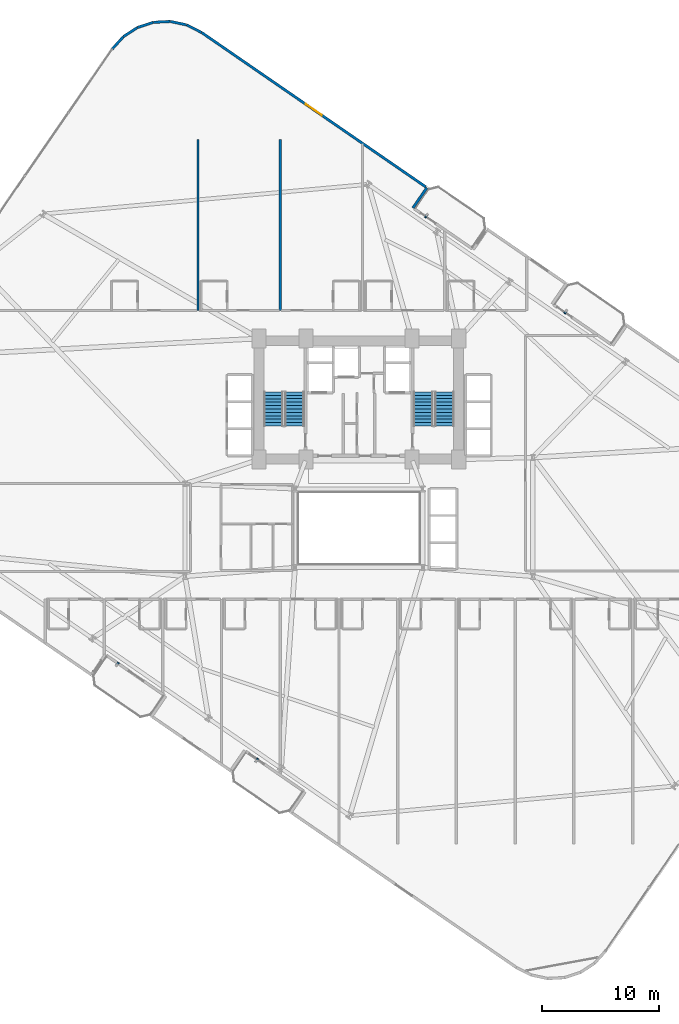
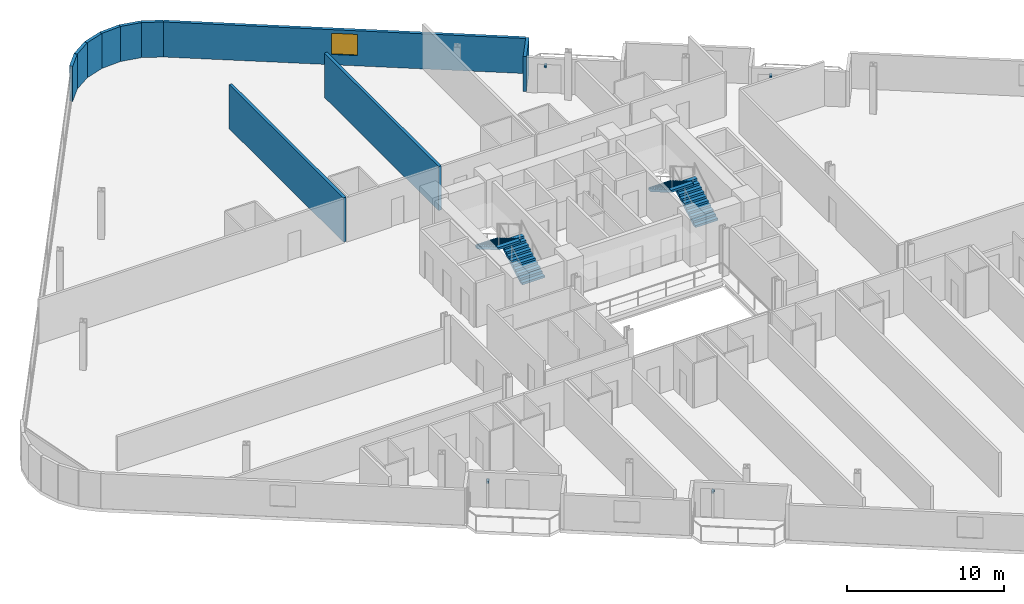
# One storey, part 24 of 27: 10 walls, 4 discrete accessories, 4 stair flights, 1 window, 1 opening, 2 elements without a shape of their own.
"""IFC4 building model written with IfcOpenShell, lengths in metres."""

from ifc_helpers import new_model, si_unit, direction, frame, frame_2d, origin, origin_2d, place, context, subcontext, project, spatial, polyline, rectangle, outline, extrude, source, transform, mapped, material, layer, layer_set, type_object, element, fill, aggregate, save


model = new_model("IFC4")

# Units and contexts
model_context = context("Model", 3, precision=1e-05, world=origin(), true_north=direction((0.0, 1.0)))
body_context = subcontext(model_context, "Body", "Model", "MODEL_VIEW")
ifc_project = project(units=[si_unit("LENGTHUNIT", "METRE"), si_unit("AREAUNIT", "SQUARE_METRE"), si_unit("VOLUMEUNIT", "CUBIC_METRE"), si_unit("PLANEANGLEUNIT", "RADIAN"), si_unit("MASSUNIT", "GRAM", prefix="KILO")], contexts=[model_context])

# Site, building, storey
site_placement = place(None, origin())
site = spatial("IfcSite", under=ifc_project, at=site_placement, CompositionType="ELEMENT")
building_placement = place(site_placement, origin())
building = spatial("IfcBuilding", under=site, at=building_placement, Name="Varnelok Gate Tower", CompositionType="ELEMENT")
storey_placement = place(building_placement, frame((0.0, 0.0, 30.699951171875)))
storey = spatial("IfcBuildingStorey", under=building, at=storey_placement, Name="L06", CompositionType="ELEMENT", Elevation=30.699951171875)

# Wall
ifc_material_1 = material(Name="Concrete C45/55", Category="concrete")
ifc_layer_1 = layer(ifc_material_1, 0.219970703125)
ifc_layer_set_1 = layer_set([ifc_layer_1], Name="Concrete C45/55")
wall_type_1 = type_object("IfcWallType", Name="EW-BALC-220", PredefinedType="SOLIDWALL", material=ifc_layer_set_1)
wall_1_placement = place(storey_placement, frame((43.793701171875, 50.161376953125, 0.0), z_axis=(0.0, 0.0, 1.0), x_axis=(0.567352541689, 0.823475010816, 0.0)))
element("IfcWall", 1, at=wall_1_placement, inside=storey, type_object=wall_type_1, Name="L06 Perimeter Facade Closure Wall 31", PredefinedType="SOLIDWALL", context=body_context, shape_type="SweptSolid", body=[
    extrude(rectangle(XDim=2.099853515625, YDim=0.219970703125, at=frame_2d((1.0498046875, 0.0))), origin(), (0.0, 0.0, 1.0), 2.72998046875),
])

# Wall, opening, window
wall_2_placement = place(storey_placement, frame((44.882080078125, 51.961669921875, 0.0), z_axis=(0.0, 0.0, 1.0), x_axis=(-0.823534427573, 0.567266292497, 0.0)))
wall_2 = element("IfcWall", 2, at=wall_2_placement, inside=storey, type_object=wall_type_1, Name="L06 Perimeter Facade Closure Wall 32", PredefinedType="SOLIDWALL", context=body_context, shape_type="SweptSolid", body=[
    extrude(rectangle(XDim=23.147216796875, YDim=0.219970703125, at=frame_2d((11.57373046875, 0.0))), origin(), (0.0, 0.0, 1.0), 2.72998046875),
])
opening_placement = place(wall_2_placement, frame((10.74853515625, 0.0, 0.800048828125)))
opening = element("IfcOpeningElement", 3, at=opening_placement, cuts=wall_2, Name="Opening WN3", PredefinedType="OPENING", context=body_context, shape_type="SweptSolid", body=[
    extrude(rectangle(XDim=1.64990234375, YDim=1.64990234375, at=frame_2d((0.824951171875, 0.824951171875))), frame((0.0, 0.119873046875, 0.0), z_axis=(0.0, -1.0, 0.0), x_axis=(1.0, 0.0, 0.0)), (0.0, 0.0, 1.0), 0.239990234375),
])
ifc_material_2 = material(Name="Low-E Laminated Double Glazing IGU", Category="glass")
window_type = type_object("IfcWindowType", Name="WN-HTL-1650", PartitioningType="SINGLE_PANEL", PredefinedType="WINDOW", material=ifc_material_2)
window_placement = place(opening_placement, origin())
window = element("IfcWindow", 4, at=window_placement, inside=storey, type_object=window_type, Name="L06 Perimeter Vision Window 32", OverallHeight=1.64990234375, OverallWidth=1.64990234375, PartitioningType="SINGLE_PANEL", PredefinedType="WINDOW", context=body_context, shape_type="SweptSolid", body=[
    extrude(rectangle(XDim=1.64990234375, YDim=1.64990234375, at=frame_2d((0.824951171875, 0.824951171875))), frame((0.0, 0.030029296875, 0.0), z_axis=(0.0, -1.0, 0.0), x_axis=(1.0, 0.0, 0.0)), (0.0, 0.0, 1.0), 0.06005859375),
])
fill(opening, window)

# Walls
wall_3_placement = place(storey_placement, frame((25.79736328125, 65.103759765625, 0.0), z_axis=(0.0, 0.0, 1.0), x_axis=(-0.890559109247, 0.454867533394, 0.0)))
element("IfcWall", 5, at=wall_3_placement, inside=storey, type_object=wall_type_1, Name="L06 Perimeter Facade Closure Wall 33", PredefinedType="SOLIDWALL", context=body_context, shape_type="SweptSolid", body=[
    extrude(rectangle(XDim=1.4130859375, YDim=0.219970703125, at=frame_2d((0.70654296875, 0.0))), origin(), (0.0, 0.0, 1.0), 2.72998046875),
])
for number, where, z_axis, x_axis, name in (
    (6, (24.514404296875, 65.751953125, 0.0), (0.0, 0.0, 1.0), (-0.977952168511, 0.208829011645, 0.0), "L06 Perimeter Facade Closure Wall 34"),
    (7, (23.114990234375, 66.044189453125, 0.0), (0.0, 0.0, 1.0), (-0.998685611917, -0.051254741739, 0.0), "L06 Perimeter Facade Closure Wall 35"),
    (8, (21.68798828125, 65.96435546875, 0.0), (0.0, 0.0, 1.0), (-0.951375653596, -0.308033059501, 0.0), "L06 Perimeter Facade Closure Wall 36"),
    (9, (20.330078125, 65.517822265625, 0.0), (0.0, 0.0, 1.0), (-0.839327688057, -0.543625819899, 0.0), "L06 Perimeter Facade Closure Wall 37"),
    (10, (19.1337890625, 64.735107421875, 0.0), (0.0, 0.0, 1.0), (-0.669952842826, -0.742403655964, 0.0), "L06 Perimeter Facade Closure Wall 38"),
):
    element("IfcWall", number, at=place(storey_placement, frame(where, z_axis=z_axis, x_axis=x_axis)), inside=storey, type_object=wall_type_1, Name=name, PredefinedType="SOLIDWALL", context=body_context, shape_type="SweptSolid", body=[
        extrude(rectangle(XDim=1.4052734375, YDim=0.219970703125, at=frame_2d((0.70263671875, 0.0))), origin(), (0.0, 0.0, 1.0), 2.72998046875),
    ])
ifc_material_3 = material(Name="Gypsum Plasterboard Acoustic Partition", Category="gypsum")
ifc_layer_2 = layer(ifc_material_3, 0.205078125)
ifc_layer_set_2 = layer_set([ifc_layer_2], Name="Gypsum Plasterboard Acoustic Partition")
wall_type_2 = type_object("IfcWallType", Name="PW-PARTY-200", PredefinedType="PARTITIONING", material=ifc_layer_set_2)
for number, where, z_axis, x_axis, name in (
    (11, (25.5, 41.429931640625, 0.0), (0.0, 0.0, 1.0), (0.0, 1.0, 0.0), "L06 North Party Wall 1"),
    (12, (32.5, 41.429931640625, 0.0), (0.0, 0.0, 1.0), (0.0, 1.0, 0.0), "L06 North Party Wall 2"),
):
    element("IfcWall", number, at=place(storey_placement, frame(where, z_axis=z_axis, x_axis=x_axis)), inside=storey, type_object=wall_type_2, Name=name, PredefinedType="PARTITIONING", context=body_context, shape_type="SweptSolid", body=[
        extrude(rectangle(XDim=14.570068359375, YDim=0.205078125, at=frame_2d((7.28515625, 0.0))), origin(), (0.0, 0.0, 1.0), 3.449951171875),
    ])

# Stair, stair flights
ifc_material_4 = material(Name="Concrete C50/60", Category="concrete")
stair_type = type_object("IfcStairType", Name="STR-CORE-1650", PredefinedType="HALF_TURN_STAIR", material=ifc_material_4)
stair_1_placement = place(storey_placement, origin())
stair_1 = element("IfcStair", 13, at=stair_1_placement, inside=storey, type_object=stair_type, Name="L06 Exit Stair ST-1", PredefinedType="HALF_TURN_STAIR")
stair_flight_type = type_object("IfcStairFlightType", Name="SFL-CORE-1650", PredefinedType="STRAIGHT", material=ifc_material_4)
stair_flight_1_placement = place(storey_placement, frame((33.72509765625, 31.60009765625, 0.0), z_axis=(0.0, 0.0, 1.0), x_axis=(0.0, 1.0, 0.0)))
stair_flight_1 = element("IfcStairFlight", 14, at=stair_flight_1_placement, type_object=stair_flight_type, Name="ST-1 flight 1", NumberOfRisers=11, NumberOfTreads=10, PredefinedType="STRAIGHT", RiserHeight=0.168181818, TreadLength=0.29, context=body_context, shape_type="SweptSolid", body=[
    extrude(outline(polyline([(0.0, 0.0), (0.0, 0.168212890625), (0.2900390625, 0.168212890625), (0.2900390625, 0.33642578125), (0.580078125, 0.33642578125), (0.580078125, 0.504638671875), (0.8701171875, 0.504638671875), (0.8701171875, 0.672607421875), (1.159912109375, 0.672607421875), (1.159912109375, 0.8408203125), (1.449951171875, 0.8408203125), (1.449951171875, 1.009033203125), (1.739990234375, 1.009033203125), (1.739990234375, 1.17724609375), (2.030029296875, 1.17724609375), (2.030029296875, 1.345458984375), (2.320068359375, 1.345458984375), (2.320068359375, 1.513671875), (2.610107421875, 1.513671875), (2.610107421875, 1.681884765625), (2.89990234375, 1.681884765625), (2.89990234375, 1.85009765625), (2.89990234375, 1.508544921875), (0.298828125, 0.0), (0.0, 0.0)])), frame((0.0, 0.824951171875, 0.0), z_axis=(0.0, -1.0, 0.0), x_axis=(1.0, 0.0, 0.0)), (0.0, 0.0, 1.0), 1.64990234375),
])
stair_flight_2_placement = place(storey_placement, frame((31.925048828125, 34.5, 1.85009765625), z_axis=(0.0, 0.0, 1.0), x_axis=(0.0, -1.0, 0.0)))
stair_flight_2 = element("IfcStairFlight", 15, at=stair_flight_2_placement, type_object=stair_flight_type, Name="ST-1 flight 2", NumberOfRisers=11, NumberOfTreads=10, PredefinedType="STRAIGHT", RiserHeight=0.168181818, TreadLength=0.29, context=body_context, shape_type="SweptSolid", body=[
    extrude(outline(polyline([(0.0, 0.0), (0.0, 0.168212890625), (0.2900390625, 0.168212890625), (0.2900390625, 0.33642578125), (0.580078125, 0.33642578125), (0.580078125, 0.504638671875), (0.8701171875, 0.504638671875), (0.8701171875, 0.672607421875), (1.159912109375, 0.672607421875), (1.159912109375, 0.8408203125), (1.449951171875, 0.8408203125), (1.449951171875, 1.009033203125), (1.739990234375, 1.009033203125), (1.739990234375, 1.17724609375), (2.030029296875, 1.17724609375), (2.030029296875, 1.345458984375), (2.320068359375, 1.345458984375), (2.320068359375, 1.513671875), (2.610107421875, 1.513671875), (2.610107421875, 1.681884765625), (2.89990234375, 1.681884765625), (2.89990234375, 1.85009765625), (2.89990234375, 1.508544921875), (0.298828125, 0.0), (0.0, 0.0)])), frame((0.0, 0.824951171875, 0.0), z_axis=(0.0, -1.0, 0.0), x_axis=(1.0, 0.0, 0.0)), (0.0, 0.0, 1.0), 1.64990234375),
])
aggregate(stair_1, [stair_flight_1, stair_flight_2])

stair_2_placement = place(storey_placement, origin())
stair_2 = element("IfcStair", 16, at=stair_2_placement, inside=storey, type_object=stair_type, Name="L06 Exit Stair ST-2", PredefinedType="HALF_TURN_STAIR")
stair_flight_3_placement = place(storey_placement, frame((46.47509765625, 31.60009765625, 0.0), z_axis=(0.0, 0.0, 1.0), x_axis=(0.0, 1.0, 0.0)))
stair_flight_3 = element("IfcStairFlight", 17, at=stair_flight_3_placement, type_object=stair_flight_type, Name="ST-2 flight 1", NumberOfRisers=11, NumberOfTreads=10, PredefinedType="STRAIGHT", RiserHeight=0.168181818, TreadLength=0.29, context=body_context, shape_type="SweptSolid", body=[
    extrude(outline(polyline([(0.0, 0.0), (0.0, 0.168212890625), (0.2900390625, 0.168212890625), (0.2900390625, 0.33642578125), (0.580078125, 0.33642578125), (0.580078125, 0.504638671875), (0.8701171875, 0.504638671875), (0.8701171875, 0.672607421875), (1.159912109375, 0.672607421875), (1.159912109375, 0.8408203125), (1.449951171875, 0.8408203125), (1.449951171875, 1.009033203125), (1.739990234375, 1.009033203125), (1.739990234375, 1.17724609375), (2.030029296875, 1.17724609375), (2.030029296875, 1.345458984375), (2.320068359375, 1.345458984375), (2.320068359375, 1.513671875), (2.610107421875, 1.513671875), (2.610107421875, 1.681884765625), (2.89990234375, 1.681884765625), (2.89990234375, 1.85009765625), (2.89990234375, 1.508544921875), (0.298828125, 0.0), (0.0, 0.0)])), frame((0.0, 0.824951171875, 0.0), z_axis=(0.0, -1.0, 0.0), x_axis=(1.0, 0.0, 0.0)), (0.0, 0.0, 1.0), 1.64990234375),
])
stair_flight_4_placement = place(storey_placement, frame((44.675048828125, 34.5, 1.85009765625), z_axis=(0.0, 0.0, 1.0), x_axis=(0.0, -1.0, 0.0)))
stair_flight_4 = element("IfcStairFlight", 18, at=stair_flight_4_placement, type_object=stair_flight_type, Name="ST-2 flight 2", NumberOfRisers=11, NumberOfTreads=10, PredefinedType="STRAIGHT", RiserHeight=0.168181818, TreadLength=0.29, context=body_context, shape_type="SweptSolid", body=[
    extrude(outline(polyline([(0.0, 0.0), (0.0, 0.168212890625), (0.2900390625, 0.168212890625), (0.2900390625, 0.33642578125), (0.580078125, 0.33642578125), (0.580078125, 0.504638671875), (0.8701171875, 0.504638671875), (0.8701171875, 0.672607421875), (1.159912109375, 0.672607421875), (1.159912109375, 0.8408203125), (1.449951171875, 0.8408203125), (1.449951171875, 1.009033203125), (1.739990234375, 1.009033203125), (1.739990234375, 1.17724609375), (2.030029296875, 1.17724609375), (2.030029296875, 1.345458984375), (2.320068359375, 1.345458984375), (2.320068359375, 1.513671875), (2.610107421875, 1.513671875), (2.610107421875, 1.681884765625), (2.89990234375, 1.681884765625), (2.89990234375, 1.85009765625), (2.89990234375, 1.508544921875), (0.298828125, 0.0), (0.0, 0.0)])), frame((0.0, 0.824951171875, 0.0), z_axis=(0.0, -1.0, 0.0), x_axis=(1.0, 0.0, 0.0)), (0.0, 0.0, 1.0), 1.64990234375),
])
aggregate(stair_2, [stair_flight_3, stair_flight_4])

# Discrete accessories
ifc_material_5 = material(Name="Structural Steel ASTM A500 Grade C", Category="steel")
discrete_accessory_type = type_object("IfcDiscreteAccessoryType", Name="ACC-BAGUETTE-BRK", PredefinedType="BRACKET", material=ifc_material_5)
shared_shape = source(origin(), body_context, "Body", "SweptSolid", [
    extrude(rectangle(XDim=0.159912109375, YDim=0.340087890625, at=origin_2d()), origin(), (0.0, 0.0, 1.0), 0.139892578125),
])
for number, where, z_axis, x_axis, name in (
    (19, (18.64453125, 11.32421875, 1.97998046875), (0.0, 0.0, 1.0), (0.823532597628, -0.567268949127, 0.0), "L06 Terracotta Baguette Bracket 1.1"),
    (20, (30.50341796875, 3.155517578125, 1.97998046875), (0.0, 0.0, 1.0), (0.823532597628, -0.567268949127, 0.0), "L06 Terracotta Baguette Bracket 2.1"),
    (21, (44.931884765625, 49.48681640625, 1.97998046875), (0.0, 0.0, 1.0), (0.823532597628, -0.567268949127, 0.0), "L06 Terracotta Baguette Bracket 3.1"),
    (22, (56.790771484375, 41.318115234375, 1.97998046875), (0.0, 0.0, 1.0), (0.823532597628, -0.567268949127, 0.0), "L06 Terracotta Baguette Bracket 4.1"),
):
    element("IfcDiscreteAccessory", number, at=place(storey_placement, frame(where, z_axis=z_axis, x_axis=x_axis)), inside=storey, type_object=discrete_accessory_type, Name=name, PredefinedType="BRACKET", context=body_context, shape_type="MappedRepresentation", body=[
        mapped(shared_shape, transform((0.0, 0.0, 0.0), scale=1.0)),
    ])

save(model, "model.ifc")
